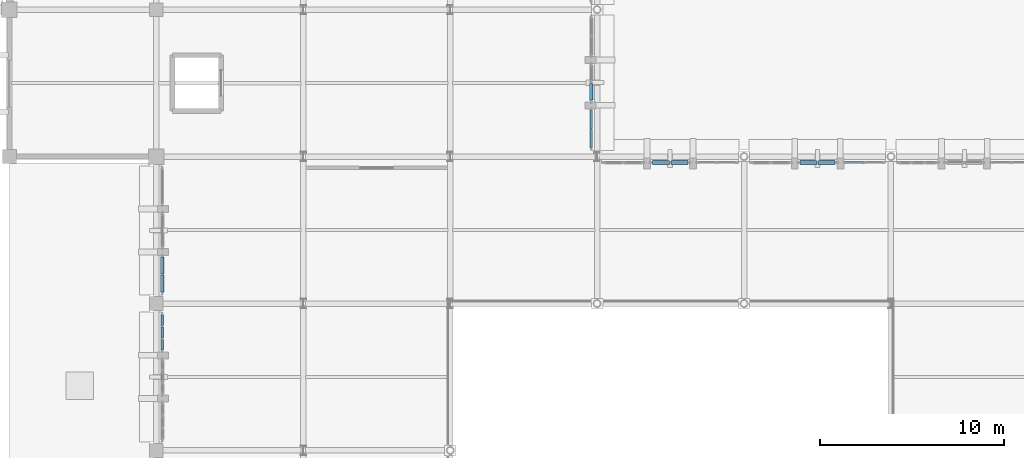
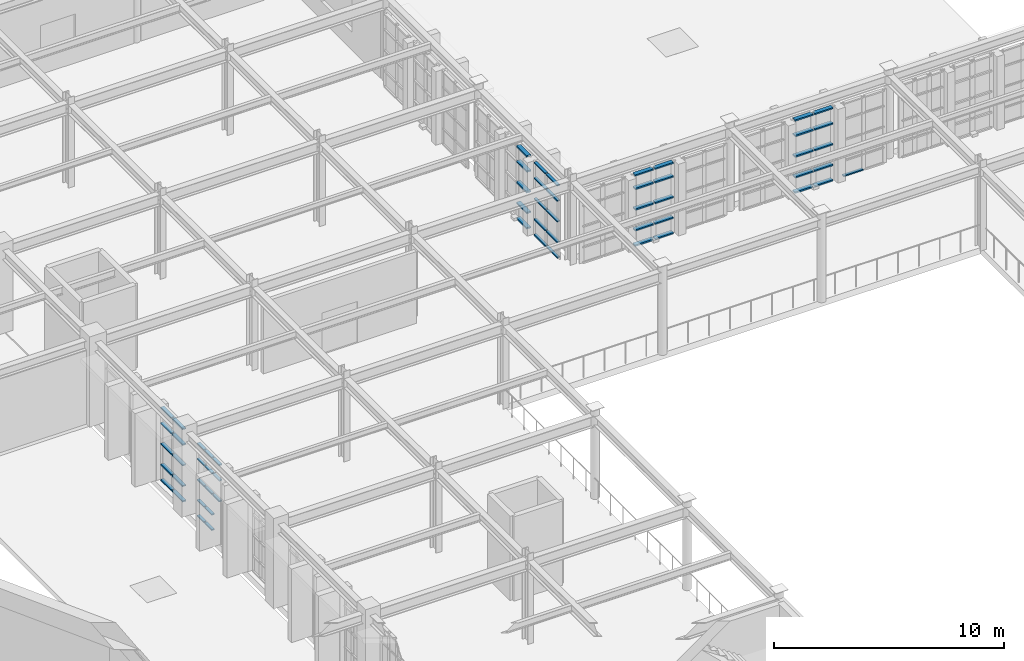
# One storey, part 81 of 155: 59 members, 7 elements without a shape of their own.
"""IFC4 building model written with IfcOpenShell, lengths in metres."""

from ifc_helpers import new_model, si_unit, direction, frame, origin, origin_2d, place, context, subcontext, project, spatial, rectangle, extrude, material, layer, layer_set, material_profile, profile_set, type_object, element, aggregate, save


model = new_model("IFC4")

# Units and contexts
model_context = context("Model", 3, precision=1e-05, world=origin(), true_north=direction((0.0, 1.0)))
body_context = subcontext(model_context, "Body", "Model", "MODEL_VIEW")
ifc_project = project(units=[si_unit("LENGTHUNIT", "METRE"), si_unit("AREAUNIT", "SQUARE_METRE"), si_unit("VOLUMEUNIT", "CUBIC_METRE"), si_unit("PLANEANGLEUNIT", "RADIAN"), si_unit("MASSUNIT", "GRAM", prefix="KILO")], contexts=[model_context])

# Site, building, storey
site_placement = place(None, origin())
site = spatial("IfcSite", under=ifc_project, at=site_placement, CompositionType="ELEMENT")
building_placement = place(site_placement, origin())
building = spatial("IfcBuilding", under=site, at=building_placement, Name="Tazarka Park Arena", CompositionType="ELEMENT")
storey_placement = place(building_placement, frame((0.0, 0.0, 5.39990234375)))
storey = spatial("IfcBuildingStorey", under=building, at=storey_placement, Name="L01", CompositionType="ELEMENT", Elevation=5.39990234375)

# Curtain wall, members
ifc_material_1 = material(Name="Aluminium and low-e glass", Category="aluminium")
ifc_layer_1 = layer(ifc_material_1, 0.179931640625, Name="Aluminium and low-e glass")
ifc_layer_set_1 = layer_set([ifc_layer_1], Name="Aluminium and low-e glass")
curtain_wall_type_1 = type_object("IfcCurtainWallType", Name="CW-03", PredefinedType="NOTDEFINED", material=ifc_layer_set_1)
curtain_wall_1_placement = place(storey_placement, origin())
curtain_wall_1 = element("IfcCurtainWall", 1, at=curtain_wall_1_placement, inside=storey, type_object=curtain_wall_type_1, Name="Curtain Wall CWA-L01-153", PredefinedType="NOTDEFINED")
ifc_material_2 = material(Name="Aluminium 6060-T66", Category="aluminium")
ifc_material_profile_1 = material_profile(ifc_material_2, rectangle(XDim=0.139892578125, YDim=0.06494140625, at=origin_2d()), Name="Aluminium 6060-T66")
ifc_profile_set_1 = profile_set([ifc_material_profile_1], Name="Aluminium 6060-T66")
member_type_1 = type_object("IfcMemberType", Name="CWT-01", PredefinedType="USERDEFINED", material=ifc_profile_set_1)
member_1_placement = place(storey_placement, frame((136.320068359375, 93.456787109375, 1.9501953125), z_axis=(0.0, 1.0, 0.0), x_axis=(-1.0, 0.0, 0.0)))
member_1 = element("IfcMember", 2, at=member_1_placement, type_object=member_type_1, Name="CW-03 transom 1.3", ObjectType="TRANSOM", PredefinedType="USERDEFINED", context=body_context, shape_type="SweptSolid", body=[
    extrude(rectangle(XDim=0.139892578125, YDim=0.06494140625, at=origin_2d()), origin(), (0.0, 0.0, 1.0), 0.5869140625),
])
member_2_placement = place(storey_placement, frame((136.320068359375, 93.456787109375, 3.050048828125), z_axis=(0.0, 1.0, 0.0), x_axis=(-1.0, 0.0, 0.0)))
member_2 = element("IfcMember", 3, at=member_2_placement, type_object=member_type_1, Name="CW-03 transom 1.4", ObjectType="TRANSOM", PredefinedType="USERDEFINED", context=body_context, shape_type="SweptSolid", body=[
    extrude(rectangle(XDim=0.139892578125, YDim=0.06494140625, at=origin_2d()), origin(), (0.0, 0.0, 1.0), 0.5869140625),
])
member_3_placement = place(storey_placement, frame((136.320068359375, 93.456787109375, 3.877685546875), z_axis=(0.0, 1.0, 0.0), x_axis=(-1.0, 0.0, 0.0)))
member_3 = element("IfcMember", 4, at=member_3_placement, type_object=member_type_1, Name="CW-03 transom 1.5", ObjectType="TRANSOM", PredefinedType="USERDEFINED", context=body_context, shape_type="SweptSolid", body=[
    extrude(rectangle(XDim=0.139892578125, YDim=0.06494140625, at=origin_2d()), origin(), (0.0, 0.0, 1.0), 0.5869140625),
])
member_4_placement = place(storey_placement, frame((136.320068359375, 94.108642578125, 0.03271484375), z_axis=(0.0, 1.0, 0.0), x_axis=(-1.0, 0.0, 0.0)))
member_4 = element("IfcMember", 5, at=member_4_placement, type_object=member_type_1, Name="CW-03 transom 2.1", ObjectType="TRANSOM", PredefinedType="USERDEFINED", context=body_context, shape_type="SweptSolid", body=[
    extrude(rectangle(XDim=0.139892578125, YDim=0.06494140625, at=origin_2d()), origin(), (0.0, 0.0, 1.0), 0.619384765625),
])
member_5_placement = place(storey_placement, frame((136.320068359375, 94.108642578125, 0.85009765625), z_axis=(0.0, 1.0, 0.0), x_axis=(-1.0, 0.0, 0.0)))
member_5 = element("IfcMember", 6, at=member_5_placement, type_object=member_type_1, Name="CW-03 transom 2.2", ObjectType="TRANSOM", PredefinedType="USERDEFINED", context=body_context, shape_type="SweptSolid", body=[
    extrude(rectangle(XDim=0.139892578125, YDim=0.06494140625, at=origin_2d()), origin(), (0.0, 0.0, 1.0), 0.619384765625),
])
member_6_placement = place(storey_placement, frame((136.320068359375, 94.108642578125, 1.9501953125), z_axis=(0.0, 1.0, 0.0), x_axis=(-1.0, 0.0, 0.0)))
member_6 = element("IfcMember", 7, at=member_6_placement, type_object=member_type_1, Name="CW-03 transom 2.3", ObjectType="TRANSOM", PredefinedType="USERDEFINED", context=body_context, shape_type="SweptSolid", body=[
    extrude(rectangle(XDim=0.139892578125, YDim=0.06494140625, at=origin_2d()), origin(), (0.0, 0.0, 1.0), 0.619384765625),
])
member_7_placement = place(storey_placement, frame((136.320068359375, 94.108642578125, 3.050048828125), z_axis=(0.0, 1.0, 0.0), x_axis=(-1.0, 0.0, 0.0)))
member_7 = element("IfcMember", 8, at=member_7_placement, type_object=member_type_1, Name="CW-03 transom 2.4", ObjectType="TRANSOM", PredefinedType="USERDEFINED", context=body_context, shape_type="SweptSolid", body=[
    extrude(rectangle(XDim=0.139892578125, YDim=0.06494140625, at=origin_2d()), origin(), (0.0, 0.0, 1.0), 0.619384765625),
])
member_8_placement = place(storey_placement, frame((136.320068359375, 94.108642578125, 3.877685546875), z_axis=(0.0, 1.0, 0.0), x_axis=(-1.0, 0.0, 0.0)))
member_8 = element("IfcMember", 9, at=member_8_placement, type_object=member_type_1, Name="CW-03 transom 2.5", ObjectType="TRANSOM", PredefinedType="USERDEFINED", context=body_context, shape_type="SweptSolid", body=[
    extrude(rectangle(XDim=0.139892578125, YDim=0.06494140625, at=origin_2d()), origin(), (0.0, 0.0, 1.0), 0.619384765625),
])
member_9_placement = place(storey_placement, frame((136.320068359375, 94.79296875, 0.03271484375), z_axis=(0.0, 1.0, 0.0), x_axis=(-1.0, 0.0, 0.0)))
member_9 = element("IfcMember", 10, at=member_9_placement, type_object=member_type_1, Name="CW-03 transom 3.1", ObjectType="TRANSOM", PredefinedType="USERDEFINED", context=body_context, shape_type="SweptSolid", body=[
    extrude(rectangle(XDim=0.139892578125, YDim=0.06494140625, at=origin_2d()), origin(), (0.0, 0.0, 1.0), 0.5869140625),
])
member_10_placement = place(storey_placement, frame((136.320068359375, 94.79296875, 0.85009765625), z_axis=(0.0, 1.0, 0.0), x_axis=(-1.0, 0.0, 0.0)))
member_10 = element("IfcMember", 11, at=member_10_placement, type_object=member_type_1, Name="CW-03 transom 3.2", ObjectType="TRANSOM", PredefinedType="USERDEFINED", context=body_context, shape_type="SweptSolid", body=[
    extrude(rectangle(XDim=0.139892578125, YDim=0.06494140625, at=origin_2d()), origin(), (0.0, 0.0, 1.0), 0.5869140625),
])
member_11_placement = place(storey_placement, frame((136.320068359375, 94.79296875, 1.9501953125), z_axis=(0.0, 1.0, 0.0), x_axis=(-1.0, 0.0, 0.0)))
member_11 = element("IfcMember", 12, at=member_11_placement, type_object=member_type_1, Name="CW-03 transom 3.3", ObjectType="TRANSOM", PredefinedType="USERDEFINED", context=body_context, shape_type="SweptSolid", body=[
    extrude(rectangle(XDim=0.139892578125, YDim=0.06494140625, at=origin_2d()), origin(), (0.0, 0.0, 1.0), 0.5869140625),
])
member_12_placement = place(storey_placement, frame((136.320068359375, 94.79296875, 3.050048828125), z_axis=(0.0, 1.0, 0.0), x_axis=(-1.0, 0.0, 0.0)))
member_12 = element("IfcMember", 13, at=member_12_placement, type_object=member_type_1, Name="CW-03 transom 3.4", ObjectType="TRANSOM", PredefinedType="USERDEFINED", context=body_context, shape_type="SweptSolid", body=[
    extrude(rectangle(XDim=0.139892578125, YDim=0.06494140625, at=origin_2d()), origin(), (0.0, 0.0, 1.0), 0.5869140625),
])
member_13_placement = place(storey_placement, frame((136.320068359375, 94.79296875, 3.877685546875), z_axis=(0.0, 1.0, 0.0), x_axis=(-1.0, 0.0, 0.0)))
member_13 = element("IfcMember", 14, at=member_13_placement, type_object=member_type_1, Name="CW-03 transom 3.5", ObjectType="TRANSOM", PredefinedType="USERDEFINED", context=body_context, shape_type="SweptSolid", body=[
    extrude(rectangle(XDim=0.139892578125, YDim=0.06494140625, at=origin_2d()), origin(), (0.0, 0.0, 1.0), 0.5869140625),
])
aggregate(curtain_wall_1, [member_1, member_2, member_3, member_4, member_5, member_6, member_7, member_8, member_9, member_10, member_11, member_12, member_13])

# Curtain wall, member
ifc_material_3 = material(Name="Aluminium and low-e glass", Category="aluminium")
ifc_layer_2 = layer(ifc_material_3, 0.179931640625, Name="Aluminium and low-e glass")
ifc_layer_set_2 = layer_set([ifc_layer_2], Name="Aluminium and low-e glass")
curtain_wall_type_2 = type_object("IfcCurtainWallType", Name="CW-15", PredefinedType="NOTDEFINED", material=ifc_layer_set_2)
curtain_wall_2_placement = place(storey_placement, origin())
curtain_wall_2 = element("IfcCurtainWall", 15, at=curtain_wall_2_placement, inside=storey, type_object=curtain_wall_type_2, Name="Curtain Wall CWA-L01-195", PredefinedType="NOTDEFINED")
member_14_placement = place(storey_placement, frame((173.513916015625, 103.679931640625, 0.03271484375), z_axis=(1.0, 0.0, 0.0), x_axis=(0.0, 1.0, 0.0)))
member_14 = element("IfcMember", 16, at=member_14_placement, type_object=member_type_1, Name="CW-15 transom 1.1", ObjectType="TRANSOM", PredefinedType="USERDEFINED", context=body_context, shape_type="SweptSolid", body=[
    extrude(rectangle(XDim=0.139892578125, YDim=0.06494140625, at=origin_2d()), origin(), (0.0, 0.0, 1.0), 0.986328125),
])
aggregate(curtain_wall_2, [member_14])

# Curtain wall, members
ifc_material_4 = material(Name="Aluminium and low-e glass", Category="aluminium")
ifc_layer_3 = layer(ifc_material_4, 0.179931640625, Name="Aluminium and low-e glass")
ifc_layer_set_3 = layer_set([ifc_layer_3], Name="Aluminium and low-e glass")
curtain_wall_type_3 = type_object("IfcCurtainWallType", Name="CW-21", PredefinedType="NOTDEFINED", material=ifc_layer_set_3)
curtain_wall_3_placement = place(storey_placement, origin())
curtain_wall_3 = element("IfcCurtainWall", 17, at=curtain_wall_3_placement, inside=storey, type_object=curtain_wall_type_3, Name="Curtain Wall CWA-L01-201", PredefinedType="NOTDEFINED")
member_15_placement = place(storey_placement, frame((159.679931640625, 106.517333984375, 0.03271484375), z_axis=(0.0, -1.0, 0.0), x_axis=(1.0, 0.0, 0.0)))
member_15 = element("IfcMember", 18, at=member_15_placement, type_object=member_type_1, Name="CW-21 transom 1.1", ObjectType="TRANSOM", PredefinedType="USERDEFINED", context=body_context, shape_type="SweptSolid", body=[
    extrude(rectangle(XDim=0.139892578125, YDim=0.06494140625, at=origin_2d()), origin(), (0.0, 0.0, 1.0), 0.978759765625),
])
member_16_placement = place(storey_placement, frame((159.679931640625, 106.517333984375, 0.85009765625), z_axis=(0.0, -1.0, 0.0), x_axis=(1.0, 0.0, 0.0)))
member_16 = element("IfcMember", 19, at=member_16_placement, type_object=member_type_1, Name="CW-21 transom 1.2", ObjectType="TRANSOM", PredefinedType="USERDEFINED", context=body_context, shape_type="SweptSolid", body=[
    extrude(rectangle(XDim=0.139892578125, YDim=0.06494140625, at=origin_2d()), origin(), (0.0, 0.0, 1.0), 0.978759765625),
])
member_17_placement = place(storey_placement, frame((159.679931640625, 106.517333984375, 1.9501953125), z_axis=(0.0, -1.0, 0.0), x_axis=(1.0, 0.0, 0.0)))
member_17 = element("IfcMember", 20, at=member_17_placement, type_object=member_type_1, Name="CW-21 transom 1.3", ObjectType="TRANSOM", PredefinedType="USERDEFINED", context=body_context, shape_type="SweptSolid", body=[
    extrude(rectangle(XDim=0.139892578125, YDim=0.06494140625, at=origin_2d()), origin(), (0.0, 0.0, 1.0), 0.978759765625),
])
member_18_placement = place(storey_placement, frame((159.679931640625, 106.517333984375, 3.050048828125), z_axis=(0.0, -1.0, 0.0), x_axis=(1.0, 0.0, 0.0)))
member_18 = element("IfcMember", 21, at=member_18_placement, type_object=member_type_1, Name="CW-21 transom 1.4", ObjectType="TRANSOM", PredefinedType="USERDEFINED", context=body_context, shape_type="SweptSolid", body=[
    extrude(rectangle(XDim=0.139892578125, YDim=0.06494140625, at=origin_2d()), origin(), (0.0, 0.0, 1.0), 0.978759765625),
])
member_19_placement = place(storey_placement, frame((159.679931640625, 106.517333984375, 3.86767578125), z_axis=(0.0, -1.0, 0.0), x_axis=(1.0, 0.0, 0.0)))
member_19 = element("IfcMember", 22, at=member_19_placement, type_object=member_type_1, Name="CW-21 transom 1.5", ObjectType="TRANSOM", PredefinedType="USERDEFINED", context=body_context, shape_type="SweptSolid", body=[
    extrude(rectangle(XDim=0.139892578125, YDim=0.06494140625, at=origin_2d()), origin(), (0.0, 0.0, 1.0), 0.978759765625),
])
member_20_placement = place(storey_placement, frame((159.679931640625, 105.4736328125, 0.03271484375), z_axis=(0.0, -1.0, 0.0), x_axis=(1.0, 0.0, 0.0)))
member_20 = element("IfcMember", 23, at=member_20_placement, type_object=member_type_1, Name="CW-21 transom 2.1", ObjectType="TRANSOM", PredefinedType="USERDEFINED", context=body_context, shape_type="SweptSolid", body=[
    extrude(rectangle(XDim=0.139892578125, YDim=0.06494140625, at=origin_2d()), origin(), (0.0, 0.0, 1.0), 0.978515625),
])
member_21_placement = place(storey_placement, frame((159.679931640625, 105.4736328125, 0.85009765625), z_axis=(0.0, -1.0, 0.0), x_axis=(1.0, 0.0, 0.0)))
member_21 = element("IfcMember", 24, at=member_21_placement, type_object=member_type_1, Name="CW-21 transom 2.2", ObjectType="TRANSOM", PredefinedType="USERDEFINED", context=body_context, shape_type="SweptSolid", body=[
    extrude(rectangle(XDim=0.139892578125, YDim=0.06494140625, at=origin_2d()), origin(), (0.0, 0.0, 1.0), 0.978515625),
])
member_22_placement = place(storey_placement, frame((159.679931640625, 105.4736328125, 1.9501953125), z_axis=(0.0, -1.0, 0.0), x_axis=(1.0, 0.0, 0.0)))
member_22 = element("IfcMember", 25, at=member_22_placement, type_object=member_type_1, Name="CW-21 transom 2.3", ObjectType="TRANSOM", PredefinedType="USERDEFINED", context=body_context, shape_type="SweptSolid", body=[
    extrude(rectangle(XDim=0.139892578125, YDim=0.06494140625, at=origin_2d()), origin(), (0.0, 0.0, 1.0), 0.978515625),
])
member_23_placement = place(storey_placement, frame((159.679931640625, 105.4736328125, 3.050048828125), z_axis=(0.0, -1.0, 0.0), x_axis=(1.0, 0.0, 0.0)))
member_23 = element("IfcMember", 26, at=member_23_placement, type_object=member_type_1, Name="CW-21 transom 2.4", ObjectType="TRANSOM", PredefinedType="USERDEFINED", context=body_context, shape_type="SweptSolid", body=[
    extrude(rectangle(XDim=0.139892578125, YDim=0.06494140625, at=origin_2d()), origin(), (0.0, 0.0, 1.0), 0.978515625),
])
member_24_placement = place(storey_placement, frame((159.679931640625, 105.4736328125, 3.86767578125), z_axis=(0.0, -1.0, 0.0), x_axis=(1.0, 0.0, 0.0)))
member_24 = element("IfcMember", 27, at=member_24_placement, type_object=member_type_1, Name="CW-21 transom 2.5", ObjectType="TRANSOM", PredefinedType="USERDEFINED", context=body_context, shape_type="SweptSolid", body=[
    extrude(rectangle(XDim=0.139892578125, YDim=0.06494140625, at=origin_2d()), origin(), (0.0, 0.0, 1.0), 0.978515625),
])
aggregate(curtain_wall_3, [member_15, member_16, member_17, member_18, member_19, member_20, member_21, member_22, member_23, member_24])

ifc_material_5 = material(Name="Aluminium and low-e glass", Category="aluminium")
ifc_layer_4 = layer(ifc_material_5, 0.179931640625, Name="Aluminium and low-e glass")
ifc_layer_set_4 = layer_set([ifc_layer_4], Name="Aluminium and low-e glass")
curtain_wall_type_4 = type_object("IfcCurtainWallType", Name="CW-28", PredefinedType="NOTDEFINED", material=ifc_layer_set_4)
curtain_wall_4_placement = place(storey_placement, origin())
curtain_wall_4 = element("IfcCurtainWall", 28, at=curtain_wall_4_placement, inside=storey, type_object=curtain_wall_type_4, Name="Curtain Wall CWA-L01-148", PredefinedType="NOTDEFINED")
ifc_material_6 = material(Name="Aluminium 6060-T66", Category="aluminium")
ifc_material_profile_2 = material_profile(ifc_material_6, rectangle(XDim=0.179931640625, YDim=0.06494140625, at=origin_2d()), Name="Aluminium 6060-T66")
ifc_profile_set_2 = profile_set([ifc_material_profile_2], Name="Aluminium 6060-T66")
member_type_2 = type_object("IfcMemberType", Name="CWT-02", PredefinedType="USERDEFINED", material=ifc_profile_set_2)
member_25_placement = place(storey_placement, frame((136.320068359375, 96.6201171875, 0.03271484375), z_axis=(0.0, 1.0, 0.0), x_axis=(-1.0, 0.0, 0.0)))
member_25 = element("IfcMember", 29, at=member_25_placement, type_object=member_type_2, Name="CW-28 transom 1.1", ObjectType="TRANSOM", PredefinedType="USERDEFINED", context=body_context, shape_type="SweptSolid", body=[
    extrude(rectangle(XDim=0.179931640625, YDim=0.06494140625, at=origin_2d()), origin(), (0.0, 0.0, 1.0), 0.920654296875),
])
member_26_placement = place(storey_placement, frame((136.320068359375, 96.6201171875, 0.85009765625), z_axis=(0.0, 1.0, 0.0), x_axis=(-1.0, 0.0, 0.0)))
member_26 = element("IfcMember", 30, at=member_26_placement, type_object=member_type_2, Name="CW-28 transom 1.2", ObjectType="TRANSOM", PredefinedType="USERDEFINED", context=body_context, shape_type="SweptSolid", body=[
    extrude(rectangle(XDim=0.179931640625, YDim=0.06494140625, at=origin_2d()), origin(), (0.0, 0.0, 1.0), 0.920654296875),
])
member_27_placement = place(storey_placement, frame((136.320068359375, 96.6201171875, 1.9501953125), z_axis=(0.0, 1.0, 0.0), x_axis=(-1.0, 0.0, 0.0)))
member_27 = element("IfcMember", 31, at=member_27_placement, type_object=member_type_2, Name="CW-28 transom 1.3", ObjectType="TRANSOM", PredefinedType="USERDEFINED", context=body_context, shape_type="SweptSolid", body=[
    extrude(rectangle(XDim=0.179931640625, YDim=0.06494140625, at=origin_2d()), origin(), (0.0, 0.0, 1.0), 0.920654296875),
])
member_28_placement = place(storey_placement, frame((136.320068359375, 96.6201171875, 3.050048828125), z_axis=(0.0, 1.0, 0.0), x_axis=(-1.0, 0.0, 0.0)))
member_28 = element("IfcMember", 32, at=member_28_placement, type_object=member_type_2, Name="CW-28 transom 1.4", ObjectType="TRANSOM", PredefinedType="USERDEFINED", context=body_context, shape_type="SweptSolid", body=[
    extrude(rectangle(XDim=0.179931640625, YDim=0.06494140625, at=origin_2d()), origin(), (0.0, 0.0, 1.0), 0.920654296875),
])
member_29_placement = place(storey_placement, frame((136.320068359375, 96.6201171875, 3.877685546875), z_axis=(0.0, 1.0, 0.0), x_axis=(-1.0, 0.0, 0.0)))
member_29 = element("IfcMember", 33, at=member_29_placement, type_object=member_type_2, Name="CW-28 transom 1.5", ObjectType="TRANSOM", PredefinedType="USERDEFINED", context=body_context, shape_type="SweptSolid", body=[
    extrude(rectangle(XDim=0.179931640625, YDim=0.06494140625, at=origin_2d()), origin(), (0.0, 0.0, 1.0), 0.920654296875),
])
member_30_placement = place(storey_placement, frame((136.320068359375, 97.60595703125, 0.03271484375), z_axis=(0.0, 1.0, 0.0), x_axis=(-1.0, 0.0, 0.0)))
member_30 = element("IfcMember", 34, at=member_30_placement, type_object=member_type_2, Name="CW-28 transom 2.1", ObjectType="TRANSOM", PredefinedType="USERDEFINED", context=body_context, shape_type="SweptSolid", body=[
    extrude(rectangle(XDim=0.179931640625, YDim=0.06494140625, at=origin_2d()), origin(), (0.0, 0.0, 1.0), 0.920654296875),
])
member_31_placement = place(storey_placement, frame((136.320068359375, 97.60595703125, 0.85009765625), z_axis=(0.0, 1.0, 0.0), x_axis=(-1.0, 0.0, 0.0)))
member_31 = element("IfcMember", 35, at=member_31_placement, type_object=member_type_2, Name="CW-28 transom 2.2", ObjectType="TRANSOM", PredefinedType="USERDEFINED", context=body_context, shape_type="SweptSolid", body=[
    extrude(rectangle(XDim=0.179931640625, YDim=0.06494140625, at=origin_2d()), origin(), (0.0, 0.0, 1.0), 0.920654296875),
])
member_32_placement = place(storey_placement, frame((136.320068359375, 97.60595703125, 1.9501953125), z_axis=(0.0, 1.0, 0.0), x_axis=(-1.0, 0.0, 0.0)))
member_32 = element("IfcMember", 36, at=member_32_placement, type_object=member_type_2, Name="CW-28 transom 2.3", ObjectType="TRANSOM", PredefinedType="USERDEFINED", context=body_context, shape_type="SweptSolid", body=[
    extrude(rectangle(XDim=0.179931640625, YDim=0.06494140625, at=origin_2d()), origin(), (0.0, 0.0, 1.0), 0.920654296875),
])
member_33_placement = place(storey_placement, frame((136.320068359375, 97.60595703125, 3.050048828125), z_axis=(0.0, 1.0, 0.0), x_axis=(-1.0, 0.0, 0.0)))
member_33 = element("IfcMember", 37, at=member_33_placement, type_object=member_type_2, Name="CW-28 transom 2.4", ObjectType="TRANSOM", PredefinedType="USERDEFINED", context=body_context, shape_type="SweptSolid", body=[
    extrude(rectangle(XDim=0.179931640625, YDim=0.06494140625, at=origin_2d()), origin(), (0.0, 0.0, 1.0), 0.920654296875),
])
member_34_placement = place(storey_placement, frame((136.320068359375, 97.60595703125, 3.877685546875), z_axis=(0.0, 1.0, 0.0), x_axis=(-1.0, 0.0, 0.0)))
member_34 = element("IfcMember", 38, at=member_34_placement, type_object=member_type_2, Name="CW-28 transom 2.5", ObjectType="TRANSOM", PredefinedType="USERDEFINED", context=body_context, shape_type="SweptSolid", body=[
    extrude(rectangle(XDim=0.179931640625, YDim=0.06494140625, at=origin_2d()), origin(), (0.0, 0.0, 1.0), 0.920654296875),
])
aggregate(curtain_wall_4, [member_25, member_26, member_27, member_28, member_29, member_30, member_31, member_32, member_33, member_34])

ifc_material_7 = material(Name="Aluminium and low-e glass", Category="aluminium")
ifc_layer_5 = layer(ifc_material_7, 0.179931640625, Name="Aluminium and low-e glass")
ifc_layer_set_5 = layer_set([ifc_layer_5], Name="Aluminium and low-e glass")
curtain_wall_type_5 = type_object("IfcCurtainWallType", Name="CW-14", PredefinedType="NOTDEFINED", material=ifc_layer_set_5)
curtain_wall_5_placement = place(storey_placement, origin())
curtain_wall_5 = element("IfcCurtainWall", 39, at=curtain_wall_5_placement, inside=storey, type_object=curtain_wall_type_5, Name="Curtain Wall CWA-L01-194", PredefinedType="NOTDEFINED")
ifc_material_8 = material(Name="Aluminium 6060-T66", Category="aluminium")
ifc_material_profile_3 = material_profile(ifc_material_8, rectangle(XDim=0.2099609375, YDim=0.074951171875, at=origin_2d()), Name="Aluminium 6060-T66")
ifc_profile_set_3 = profile_set([ifc_material_profile_3], Name="Aluminium 6060-T66")
member_type_3 = type_object("IfcMemberType", Name="CWT-03", PredefinedType="USERDEFINED", material=ifc_profile_set_3)
member_35_placement = place(storey_placement, frame((171.046142578125, 103.679931640625, 0.03759765625), z_axis=(1.0, 0.0, 0.0), x_axis=(0.0, 1.0, 0.0)))
member_35 = element("IfcMember", 40, at=member_35_placement, type_object=member_type_3, Name="CW-14 transom 1.1", ObjectType="TRANSOM", PredefinedType="USERDEFINED", context=body_context, shape_type="SweptSolid", body=[
    extrude(rectangle(XDim=0.2099609375, YDim=0.074951171875, at=origin_2d()), origin(), (0.0, 0.0, 1.0), 0.916259765625),
])
member_36_placement = place(storey_placement, frame((171.046142578125, 103.679931640625, 0.85009765625), z_axis=(1.0, 0.0, 0.0), x_axis=(0.0, 1.0, 0.0)))
member_36 = element("IfcMember", 41, at=member_36_placement, type_object=member_type_3, Name="CW-14 transom 1.2", ObjectType="TRANSOM", PredefinedType="USERDEFINED", context=body_context, shape_type="SweptSolid", body=[
    extrude(rectangle(XDim=0.2099609375, YDim=0.074951171875, at=origin_2d()), origin(), (0.0, 0.0, 1.0), 0.916259765625),
])
member_37_placement = place(storey_placement, frame((171.046142578125, 103.679931640625, 1.9501953125), z_axis=(1.0, 0.0, 0.0), x_axis=(0.0, 1.0, 0.0)))
member_37 = element("IfcMember", 42, at=member_37_placement, type_object=member_type_3, Name="CW-14 transom 1.3", ObjectType="TRANSOM", PredefinedType="USERDEFINED", context=body_context, shape_type="SweptSolid", body=[
    extrude(rectangle(XDim=0.2099609375, YDim=0.074951171875, at=origin_2d()), origin(), (0.0, 0.0, 1.0), 0.916259765625),
])
member_38_placement = place(storey_placement, frame((171.046142578125, 103.679931640625, 3.050048828125), z_axis=(1.0, 0.0, 0.0), x_axis=(0.0, 1.0, 0.0)))
member_38 = element("IfcMember", 43, at=member_38_placement, type_object=member_type_3, Name="CW-14 transom 1.4", ObjectType="TRANSOM", PredefinedType="USERDEFINED", context=body_context, shape_type="SweptSolid", body=[
    extrude(rectangle(XDim=0.2099609375, YDim=0.074951171875, at=origin_2d()), origin(), (0.0, 0.0, 1.0), 0.916259765625),
])
member_39_placement = place(storey_placement, frame((171.046142578125, 103.679931640625, 3.87255859375), z_axis=(1.0, 0.0, 0.0), x_axis=(0.0, 1.0, 0.0)))
member_39 = element("IfcMember", 44, at=member_39_placement, type_object=member_type_3, Name="CW-14 transom 1.5", ObjectType="TRANSOM", PredefinedType="USERDEFINED", context=body_context, shape_type="SweptSolid", body=[
    extrude(rectangle(XDim=0.2099609375, YDim=0.074951171875, at=origin_2d()), origin(), (0.0, 0.0, 1.0), 0.916259765625),
])
member_40_placement = place(storey_placement, frame((172.03759765625, 103.679931640625, 0.03759765625), z_axis=(1.0, 0.0, 0.0), x_axis=(0.0, 1.0, 0.0)))
member_40 = element("IfcMember", 45, at=member_40_placement, type_object=member_type_3, Name="CW-14 transom 2.1", ObjectType="TRANSOM", PredefinedType="USERDEFINED", context=body_context, shape_type="SweptSolid", body=[
    extrude(rectangle(XDim=0.2099609375, YDim=0.074951171875, at=origin_2d()), origin(), (0.0, 0.0, 1.0), 0.916259765625),
])
member_41_placement = place(storey_placement, frame((172.03759765625, 103.679931640625, 0.85009765625), z_axis=(1.0, 0.0, 0.0), x_axis=(0.0, 1.0, 0.0)))
member_41 = element("IfcMember", 46, at=member_41_placement, type_object=member_type_3, Name="CW-14 transom 2.2", ObjectType="TRANSOM", PredefinedType="USERDEFINED", context=body_context, shape_type="SweptSolid", body=[
    extrude(rectangle(XDim=0.2099609375, YDim=0.074951171875, at=origin_2d()), origin(), (0.0, 0.0, 1.0), 0.916259765625),
])
member_42_placement = place(storey_placement, frame((172.03759765625, 103.679931640625, 1.9501953125), z_axis=(1.0, 0.0, 0.0), x_axis=(0.0, 1.0, 0.0)))
member_42 = element("IfcMember", 47, at=member_42_placement, type_object=member_type_3, Name="CW-14 transom 2.3", ObjectType="TRANSOM", PredefinedType="USERDEFINED", context=body_context, shape_type="SweptSolid", body=[
    extrude(rectangle(XDim=0.2099609375, YDim=0.074951171875, at=origin_2d()), origin(), (0.0, 0.0, 1.0), 0.916259765625),
])
member_43_placement = place(storey_placement, frame((172.03759765625, 103.679931640625, 3.050048828125), z_axis=(1.0, 0.0, 0.0), x_axis=(0.0, 1.0, 0.0)))
member_43 = element("IfcMember", 48, at=member_43_placement, type_object=member_type_3, Name="CW-14 transom 2.4", ObjectType="TRANSOM", PredefinedType="USERDEFINED", context=body_context, shape_type="SweptSolid", body=[
    extrude(rectangle(XDim=0.2099609375, YDim=0.074951171875, at=origin_2d()), origin(), (0.0, 0.0, 1.0), 0.916259765625),
])
member_44_placement = place(storey_placement, frame((172.03759765625, 103.679931640625, 3.87255859375), z_axis=(1.0, 0.0, 0.0), x_axis=(0.0, 1.0, 0.0)))
member_44 = element("IfcMember", 49, at=member_44_placement, type_object=member_type_3, Name="CW-14 transom 2.5", ObjectType="TRANSOM", PredefinedType="USERDEFINED", context=body_context, shape_type="SweptSolid", body=[
    extrude(rectangle(XDim=0.2099609375, YDim=0.074951171875, at=origin_2d()), origin(), (0.0, 0.0, 1.0), 0.916259765625),
])
aggregate(curtain_wall_5, [member_35, member_36, member_37, member_38, member_39, member_40, member_41, member_42, member_43, member_44])

ifc_material_9 = material(Name="Aluminium and low-e glass", Category="aluminium")
ifc_layer_6 = layer(ifc_material_9, 0.179931640625, Name="Aluminium and low-e glass")
ifc_layer_set_6 = layer_set([ifc_layer_6], Name="Aluminium and low-e glass")
curtain_wall_type_6 = type_object("IfcCurtainWallType", Name="CW-17", PredefinedType="NOTDEFINED", material=ifc_layer_set_6)
curtain_wall_6_placement = place(storey_placement, origin())
curtain_wall_6 = element("IfcCurtainWall", 50, at=curtain_wall_6_placement, inside=storey, type_object=curtain_wall_type_6, Name="Curtain Wall CWA-L01-197", PredefinedType="NOTDEFINED")
member_45_placement = place(storey_placement, frame((163.010498046875, 103.679931640625, 0.03759765625), z_axis=(1.0, 0.0, 0.0), x_axis=(0.0, 1.0, 0.0)))
member_45 = element("IfcMember", 51, at=member_45_placement, type_object=member_type_3, Name="CW-17 transom 1.1", ObjectType="TRANSOM", PredefinedType="USERDEFINED", context=body_context, shape_type="SweptSolid", body=[
    extrude(rectangle(XDim=0.2099609375, YDim=0.074951171875, at=origin_2d()), origin(), (0.0, 0.0, 1.0), 0.92529296875),
])
member_46_placement = place(storey_placement, frame((163.010498046875, 103.679931640625, 0.85009765625), z_axis=(1.0, 0.0, 0.0), x_axis=(0.0, 1.0, 0.0)))
member_46 = element("IfcMember", 52, at=member_46_placement, type_object=member_type_3, Name="CW-17 transom 1.2", ObjectType="TRANSOM", PredefinedType="USERDEFINED", context=body_context, shape_type="SweptSolid", body=[
    extrude(rectangle(XDim=0.2099609375, YDim=0.074951171875, at=origin_2d()), origin(), (0.0, 0.0, 1.0), 0.92529296875),
])
member_47_placement = place(storey_placement, frame((163.010498046875, 103.679931640625, 1.9501953125), z_axis=(1.0, 0.0, 0.0), x_axis=(0.0, 1.0, 0.0)))
member_47 = element("IfcMember", 53, at=member_47_placement, type_object=member_type_3, Name="CW-17 transom 1.3", ObjectType="TRANSOM", PredefinedType="USERDEFINED", context=body_context, shape_type="SweptSolid", body=[
    extrude(rectangle(XDim=0.2099609375, YDim=0.074951171875, at=origin_2d()), origin(), (0.0, 0.0, 1.0), 0.92529296875),
])
member_48_placement = place(storey_placement, frame((163.010498046875, 103.679931640625, 3.050048828125), z_axis=(1.0, 0.0, 0.0), x_axis=(0.0, 1.0, 0.0)))
member_48 = element("IfcMember", 54, at=member_48_placement, type_object=member_type_3, Name="CW-17 transom 1.4", ObjectType="TRANSOM", PredefinedType="USERDEFINED", context=body_context, shape_type="SweptSolid", body=[
    extrude(rectangle(XDim=0.2099609375, YDim=0.074951171875, at=origin_2d()), origin(), (0.0, 0.0, 1.0), 0.92529296875),
])
member_49_placement = place(storey_placement, frame((163.010498046875, 103.679931640625, 3.772705078125), z_axis=(1.0, 0.0, 0.0), x_axis=(0.0, 1.0, 0.0)))
member_49 = element("IfcMember", 55, at=member_49_placement, type_object=member_type_3, Name="CW-17 transom 1.5", ObjectType="TRANSOM", PredefinedType="USERDEFINED", context=body_context, shape_type="SweptSolid", body=[
    extrude(rectangle(XDim=0.2099609375, YDim=0.074951171875, at=origin_2d()), origin(), (0.0, 0.0, 1.0), 0.92529296875),
])
member_50_placement = place(storey_placement, frame((164.010986328125, 103.679931640625, 0.03759765625), z_axis=(1.0, 0.0, 0.0), x_axis=(0.0, 1.0, 0.0)))
member_50 = element("IfcMember", 56, at=member_50_placement, type_object=member_type_3, Name="CW-17 transom 2.1", ObjectType="TRANSOM", PredefinedType="USERDEFINED", context=body_context, shape_type="SweptSolid", body=[
    extrude(rectangle(XDim=0.2099609375, YDim=0.074951171875, at=origin_2d()), origin(), (0.0, 0.0, 1.0), 0.92529296875),
])
member_51_placement = place(storey_placement, frame((164.010986328125, 103.679931640625, 0.85009765625), z_axis=(1.0, 0.0, 0.0), x_axis=(0.0, 1.0, 0.0)))
member_51 = element("IfcMember", 57, at=member_51_placement, type_object=member_type_3, Name="CW-17 transom 2.2", ObjectType="TRANSOM", PredefinedType="USERDEFINED", context=body_context, shape_type="SweptSolid", body=[
    extrude(rectangle(XDim=0.2099609375, YDim=0.074951171875, at=origin_2d()), origin(), (0.0, 0.0, 1.0), 0.92529296875),
])
member_52_placement = place(storey_placement, frame((164.010986328125, 103.679931640625, 1.9501953125), z_axis=(1.0, 0.0, 0.0), x_axis=(0.0, 1.0, 0.0)))
member_52 = element("IfcMember", 58, at=member_52_placement, type_object=member_type_3, Name="CW-17 transom 2.3", ObjectType="TRANSOM", PredefinedType="USERDEFINED", context=body_context, shape_type="SweptSolid", body=[
    extrude(rectangle(XDim=0.2099609375, YDim=0.074951171875, at=origin_2d()), origin(), (0.0, 0.0, 1.0), 0.92529296875),
])
member_53_placement = place(storey_placement, frame((164.010986328125, 103.679931640625, 3.050048828125), z_axis=(1.0, 0.0, 0.0), x_axis=(0.0, 1.0, 0.0)))
member_53 = element("IfcMember", 59, at=member_53_placement, type_object=member_type_3, Name="CW-17 transom 2.4", ObjectType="TRANSOM", PredefinedType="USERDEFINED", context=body_context, shape_type="SweptSolid", body=[
    extrude(rectangle(XDim=0.2099609375, YDim=0.074951171875, at=origin_2d()), origin(), (0.0, 0.0, 1.0), 0.92529296875),
])
member_54_placement = place(storey_placement, frame((164.010986328125, 103.679931640625, 3.772705078125), z_axis=(1.0, 0.0, 0.0), x_axis=(0.0, 1.0, 0.0)))
member_54 = element("IfcMember", 60, at=member_54_placement, type_object=member_type_3, Name="CW-17 transom 2.5", ObjectType="TRANSOM", PredefinedType="USERDEFINED", context=body_context, shape_type="SweptSolid", body=[
    extrude(rectangle(XDim=0.2099609375, YDim=0.074951171875, at=origin_2d()), origin(), (0.0, 0.0, 1.0), 0.92529296875),
])
aggregate(curtain_wall_6, [member_45, member_46, member_47, member_48, member_49, member_50, member_51, member_52, member_53, member_54])

ifc_material_10 = material(Name="Aluminium and low-e glass", Category="aluminium")
ifc_layer_7 = layer(ifc_material_10, 0.179931640625, Name="Aluminium and low-e glass")
ifc_layer_set_7 = layer_set([ifc_layer_7], Name="Aluminium and low-e glass")
curtain_wall_type_7 = type_object("IfcCurtainWallType", Name="CW-20", PredefinedType="NOTDEFINED", material=ifc_layer_set_7)
curtain_wall_7_placement = place(storey_placement, origin())
curtain_wall_7 = element("IfcCurtainWall", 61, at=curtain_wall_7_placement, inside=storey, type_object=curtain_wall_type_7, Name="Curtain Wall CWA-L01-200", PredefinedType="NOTDEFINED")
member_55_placement = place(storey_placement, frame((159.679931640625, 107.98583984375, 0.03759765625), z_axis=(0.0, -1.0, 0.0), x_axis=(1.0, 0.0, 0.0)))
member_55 = element("IfcMember", 62, at=member_55_placement, type_object=member_type_3, Name="CW-20 transom 2.1", ObjectType="TRANSOM", PredefinedType="USERDEFINED", context=body_context, shape_type="SweptSolid", body=[
    extrude(rectangle(XDim=0.2099609375, YDim=0.074951171875, at=origin_2d()), origin(), (0.0, 0.0, 1.0), 0.908447265625),
])
member_56_placement = place(storey_placement, frame((159.679931640625, 107.98583984375, 0.85009765625), z_axis=(0.0, -1.0, 0.0), x_axis=(1.0, 0.0, 0.0)))
member_56 = element("IfcMember", 63, at=member_56_placement, type_object=member_type_3, Name="CW-20 transom 2.2", ObjectType="TRANSOM", PredefinedType="USERDEFINED", context=body_context, shape_type="SweptSolid", body=[
    extrude(rectangle(XDim=0.2099609375, YDim=0.074951171875, at=origin_2d()), origin(), (0.0, 0.0, 1.0), 0.908447265625),
])
member_57_placement = place(storey_placement, frame((159.679931640625, 107.98583984375, 1.9501953125), z_axis=(0.0, -1.0, 0.0), x_axis=(1.0, 0.0, 0.0)))
member_57 = element("IfcMember", 64, at=member_57_placement, type_object=member_type_3, Name="CW-20 transom 2.3", ObjectType="TRANSOM", PredefinedType="USERDEFINED", context=body_context, shape_type="SweptSolid", body=[
    extrude(rectangle(XDim=0.2099609375, YDim=0.074951171875, at=origin_2d()), origin(), (0.0, 0.0, 1.0), 0.908447265625),
])
member_58_placement = place(storey_placement, frame((159.679931640625, 107.98583984375, 3.050048828125), z_axis=(0.0, -1.0, 0.0), x_axis=(1.0, 0.0, 0.0)))
member_58 = element("IfcMember", 65, at=member_58_placement, type_object=member_type_3, Name="CW-20 transom 2.4", ObjectType="TRANSOM", PredefinedType="USERDEFINED", context=body_context, shape_type="SweptSolid", body=[
    extrude(rectangle(XDim=0.2099609375, YDim=0.074951171875, at=origin_2d()), origin(), (0.0, 0.0, 1.0), 0.908447265625),
])
member_59_placement = place(storey_placement, frame((159.679931640625, 107.98583984375, 3.862548828125), z_axis=(0.0, -1.0, 0.0), x_axis=(1.0, 0.0, 0.0)))
member_59 = element("IfcMember", 66, at=member_59_placement, type_object=member_type_3, Name="CW-20 transom 2.5", ObjectType="TRANSOM", PredefinedType="USERDEFINED", context=body_context, shape_type="SweptSolid", body=[
    extrude(rectangle(XDim=0.2099609375, YDim=0.074951171875, at=origin_2d()), origin(), (0.0, 0.0, 1.0), 0.908447265625),
])
aggregate(curtain_wall_7, [member_55, member_56, member_57, member_58, member_59])

save(model, "model.ifc")
